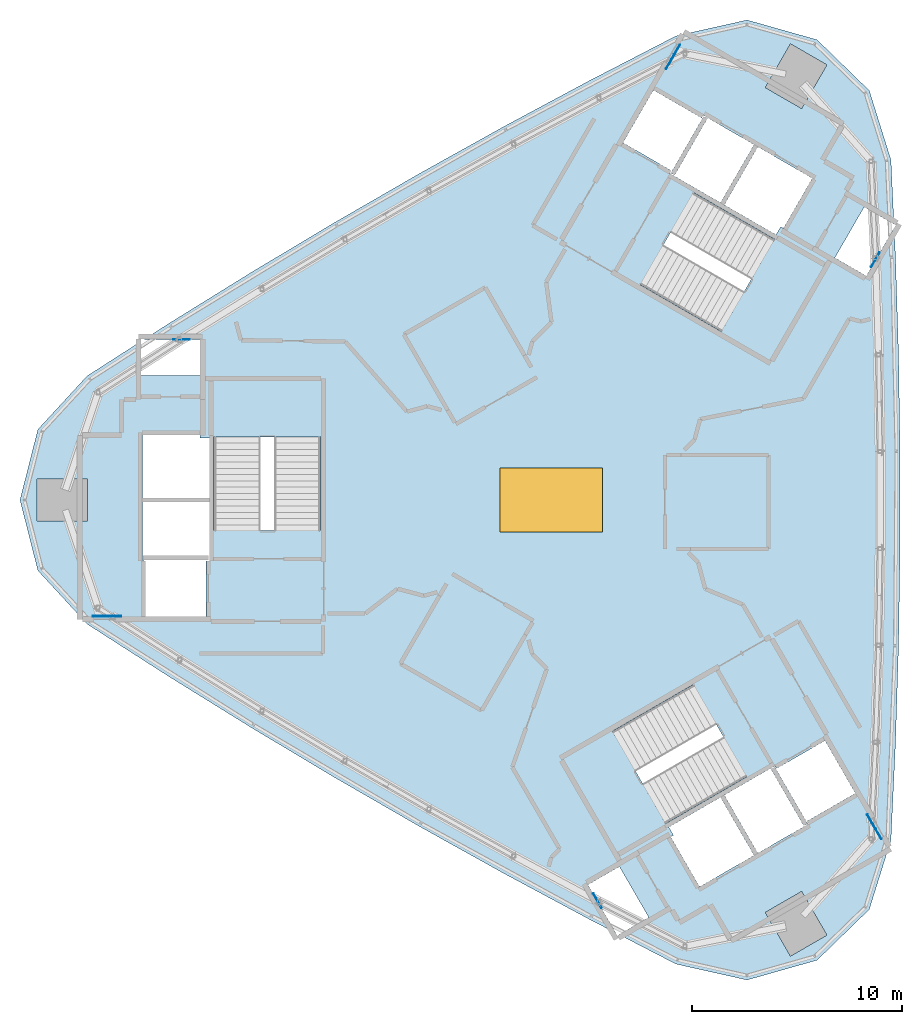
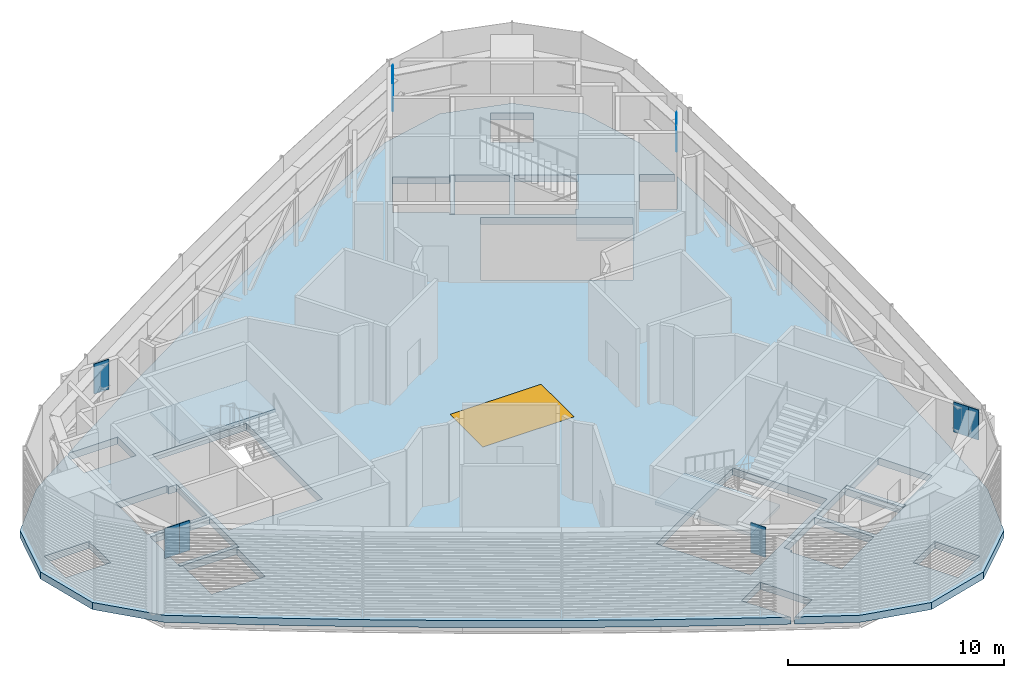
# One storey, part 9 of 21: 9 plates, 4 slabs, 1 window, 1 opening, 3 elements without a shape of their own.
"""IFC4 building model written with IfcOpenShell, lengths in metres."""

from ifc_helpers import new_model, si_unit, direction, frame, origin, origin_2d, place, context, subcontext, project, spatial, polyline, rectangle, outline, extrude, material, layer, layer_set, type_object, element, fill, aggregate, save


model = new_model("IFC4")

# Units and contexts
model_context = context("Model", 3, precision=1e-05, world=origin(), true_north=direction((0.0, 1.0)))
body_context = subcontext(model_context, "Body", "Model", "MODEL_VIEW")
ifc_project = project(units=[si_unit("LENGTHUNIT", "METRE"), si_unit("AREAUNIT", "SQUARE_METRE"), si_unit("VOLUMEUNIT", "CUBIC_METRE"), si_unit("PLANEANGLEUNIT", "RADIAN"), si_unit("MASSUNIT", "GRAM", prefix="KILO")], contexts=[model_context])

# Site, building, storey
site_placement = place(None, origin())
site = spatial("IfcSite", under=ifc_project, at=site_placement, CompositionType="ELEMENT")
building_placement = place(site_placement, origin())
building = spatial("IfcBuilding", under=site, at=building_placement, Name="Tamra Quay Hotel Tower", CompositionType="ELEMENT")
storey_placement = place(building_placement, frame((0.0, 0.0, 301.800048828125)))
storey = spatial("IfcBuildingStorey", under=building, at=storey_placement, Name="L76", CompositionType="ELEMENT", Elevation=301.800048828125)

# Plates
ifc_material_1 = material(Name="Structural steel IS 2062 E350", Category="steel")
ifc_layer_1 = layer(ifc_material_1, 0.0400390625)
ifc_layer_set_1 = layer_set([ifc_layer_1], Name="CAST IN PLATE 40")
plate_type = type_object("IfcPlateType", Name="CAST IN PLATE 40", PredefinedType="SHEET", material=ifc_layer_set_1)
for number, where, z_axis, x_axis, name in (
    (1, (-21.410400390625, -5.530029296875, 2.89990234375), (0.0, 0.0, 1.0), (0.0, 1.0, 0.0), "Cast-in plate EP-TC6-1"),
    (2, (-20.868896484375, -5.530029296875, 2.89990234375), (0.0, 0.0, 1.0), (0.0, 1.0, 0.0), "Cast-in plate EP-TC6-2"),
    (3, (-17.59423828125, 7.6298828125, 2.89990234375), (0.0, 0.0, 1.0), (0.0, -1.0, 0.0), "Cast-in plate EP-TC6-3"),
    (4, (2.189208984375, -19.052001953125, 2.89990234375), (0.0, 0.0, 1.0), (0.866025403784, 0.5, 0.0), "Cast-in plate EP-TC6-4"),
    (5, (5.645263671875, 20.837890625, 2.89990234375), (0.0, 0.0, 1.0), (0.866025403784, -0.5, 0.0), "Cast-in plate EP-TC6-5"),
    (6, (5.916015625, 21.306884765625, 2.89990234375), (0.0, 0.0, 1.0), (0.866025403784, -0.5, 0.0), "Cast-in plate EP-TC6-6"),
    (7, (15.2236328125, -15.30810546875, 2.89990234375), (0.0, 0.0, 1.0), (-0.866025403784, -0.5, 0.0), "Cast-in plate EP-TC6-7"),
    (8, (15.40478515625, 11.422119140625, 2.89990234375), (0.0, 0.0, 1.0), (-0.866025403784, 0.5, 0.0), "Cast-in plate EP-TC6-8"),
    (9, (15.494384765625, -15.77685546875, 2.89990234375), (0.0, 0.0, 1.0), (-0.866025403784, -0.5, 0.0), "Cast-in plate EP-TC6-9"),
):
    element("IfcPlate", number, at=place(storey_placement, frame(where, z_axis=z_axis, x_axis=x_axis)), inside=storey, type_object=plate_type, Name=name, PredefinedType="SHEET", context=body_context, shape_type="SweptSolid", body=[
        extrude(rectangle(XDim=0.0400390625, YDim=0.800048828125, at=origin_2d()), origin(), (0.0, 0.0, 1.0), 1.699951171875),
    ])

# Stair, slab
ifc_material_2 = material(Name="Exit stair 2200 32 risers 150.0 going 299")
stair_type = type_object("IfcStairType", Name="Exit stair 2200 32 risers 150.0 going 299", PredefinedType="HALF_TURN_STAIR", material=ifc_material_2)
stair_1_placement = place(storey_placement, origin())
stair_1 = element("IfcStair", 10, at=stair_1_placement, inside=storey, type_object=stair_type, Name="L76 Exit stair ST3", PredefinedType="HALF_TURN_STAIR")
ifc_material_3 = material(Name="Concrete M70", Category="concrete")
ifc_layer_2 = layer(ifc_material_3, 0.175048828125)
ifc_layer_set_2 = layer_set([ifc_layer_2], Name="Concrete M70 stair landing 180")
slab_type_1 = type_object("IfcSlabType", Name="Concrete M70 stair landing 180", PredefinedType="LANDING", material=ifc_layer_set_2)
slab_1_placement = place(storey_placement, frame((0.0, 0.0, 2.224853515625)))
slab_1 = element("IfcSlab", 11, at=slab_1_placement, type_object=slab_type_1, Name="ST3 landing 1", PredefinedType="LANDING", context=body_context, shape_type="SweptSolid", body=[
    extrude(outline(polyline([(-10.932373046875, 2.98486328125), (-10.932373046875, 5.679931640625), (-16.09130859375, 5.679931640625), (-16.09130859375, 2.98486328125), (-10.932373046875, 2.98486328125)])), origin(), (0.0, 0.0, 1.0), 0.175048828125),
])
aggregate(stair_1, [slab_1])

stair_2_placement = place(storey_placement, origin())
stair_2 = element("IfcStair", 12, at=stair_2_placement, inside=storey, type_object=stair_type, Name="L76 Exit stair ST1", PredefinedType="HALF_TURN_STAIR")
slab_2_placement = place(storey_placement, frame((0.0, 0.0, 2.224853515625)))
slab_2 = element("IfcSlab", 13, at=slab_2_placement, type_object=slab_type_1, Name="ST1 landing 1", PredefinedType="LANDING", context=body_context, shape_type="SweptSolid", body=[
    extrude(outline(polyline([(8.051025390625, 7.97509765625), (10.385009765625, 6.627685546875), (12.964599609375, 11.095458984375), (10.630615234375, 12.443115234375), (8.051025390625, 7.97509765625)])), origin(), (0.0, 0.0, 1.0), 0.175048828125),
])
aggregate(stair_2, [slab_2])

stair_3_placement = place(storey_placement, origin())
stair_3 = element("IfcStair", 14, at=stair_3_placement, inside=storey, type_object=stair_type, Name="L76 Exit stair ST2", PredefinedType="HALF_TURN_STAIR")
slab_3_placement = place(storey_placement, frame((0.0, 0.0, 2.224853515625)))
slab_3 = element("IfcSlab", 15, at=slab_3_placement, type_object=slab_type_1, Name="ST2 landing 1", PredefinedType="LANDING", context=body_context, shape_type="SweptSolid", body=[
    extrude(outline(polyline([(2.881103515625, -10.960205078125), (0.547119140625, -12.3076171875), (3.126708984375, -16.775390625), (5.460693359375, -15.427978515625), (2.881103515625, -10.960205078125)])), origin(), (0.0, 0.0, 1.0), 0.175048828125),
])
aggregate(stair_3, [slab_3])

# Slab, opening, window
ifc_material_4 = material(Name="Concrete M60", Category="concrete")
ifc_layer_3 = layer(ifc_material_4, 0.39990234375)
ifc_layer_set_3 = layer_set([ifc_layer_3], Name="FLOOR SLAB PT 400")
slab_type_2 = type_object("IfcSlabType", Name="FLOOR SLAB PT 400", PredefinedType="FLOOR", material=ifc_layer_set_3)
slab_4_placement = place(storey_placement, frame((0.0, 0.0, -0.400146484375)))
slab_4 = element("IfcSlab", 16, at=slab_4_placement, inside=storey, type_object=slab_type_2, Name="SLAB-L76", PredefinedType="FLOOR", context=body_context, shape_type="SweptSolid", body=[
    extrude(outline(polyline([(-18.18798828125, 8.398681640625), (-14.259765625, 10.83349609375), (-10.29345703125, 13.206787109375), (-6.29052734375, 15.517822265625), (-2.252197265625, 17.765869140625), (1.820556640625, 19.95068359375), (5.92724609375, 22.07177734375), (9.305419921875, 22.8291015625), (12.63671875, 21.887451171875), (15.117919921875, 19.473388671875), (16.151123046875, 16.169189453125), (16.294189453125, 13.11767578125), (14.876220703125, 13.936279296875), (13.481201171875, 11.52001953125), (14.9794921875, 10.655029296875), (16.302001953125, 12.946044921875), (16.367431640625, 11.552001953125), (16.511962890625, 6.9326171875), (16.583984375, 2.31103515625), (16.583984375, -2.31103515625), (16.511962890625, -6.9326171875), (16.367431640625, -11.552001953125), (16.151123046875, -16.169189453125), (15.117919921875, -19.473388671875), (12.63671875, -21.887451171875), (9.305419921875, -22.8291015625), (5.92724609375, -22.07177734375), (3.213134765625, -20.669921875), (4.631103515625, -19.851318359375), (3.236083984375, -17.43505859375), (1.73779296875, -18.300048828125), (3.060546875, -20.591064453125), (1.820556640625, -19.95068359375), (-2.252197265625, -17.765869140625), (-6.29052734375, -15.517822265625), (-10.29345703125, -13.206787109375), (-14.259765625, -10.83349609375), (-18.18798828125, -8.398681640625), (-22.078369140625, -5.902587890625), (-24.42333984375, -3.35595703125), (-25.2734375, 0.0), (-24.42333984375, 3.35595703125), (-22.078369140625, 5.902587890625), (-19.50732421875, 7.55224609375), (-19.50732421875, 5.9150390625), (-16.71728515625, 5.9150390625), (-16.71728515625, 7.64501953125), (-19.36279296875, 7.64501953125), (-18.18798828125, 8.398681640625)]), holes=[polyline([(0.622314453125, -12.32763671875), (3.146728515625, -16.7001953125), (9.2783203125, -13.160400390625), (6.75390625, -8.78759765625), (0.622314453125, -12.32763671875)]), polyline([(-19.4072265625, -2.89306640625), (-19.307373046875, -2.89306640625), (-19.307373046875, -5.544921875), (-16.417236328125, -5.544921875), (-16.417236328125, -2.89306640625), (-16.3173828125, -2.89306640625), (-16.3173828125, -2.85498046875), (-19.4072265625, -2.85498046875), (-19.4072265625, -2.89306640625)]), polyline([(-16.307373046875, -2.64501953125), (-16.307373046875, -2.89306640625), (-16.26708984375, -2.89306640625), (-16.26708984375, -0.10498046875), (-19.45751953125, -0.10498046875), (-19.45751953125, -2.89306640625), (-19.417236328125, -2.89306640625), (-19.417236328125, -2.64501953125), (-16.307373046875, -2.64501953125)]), polyline([(-24.473388671875, -1.0), (-22.073486328125, -1.0), (-22.073486328125, 1.0), (-24.473388671875, 1.0), (-24.473388671875, -1.0)]), polyline([(-16.707275390625, 3.09521484375), (-19.45751953125, 3.09521484375), (-19.45751953125, 0.10498046875), (-16.26708984375, 0.10498046875), (-16.26708984375, 2.945068359375), (-16.707275390625, 2.945068359375), (-16.707275390625, 3.09521484375)]), polyline([(-10.9873046875, 5.625), (-16.036376953125, 5.625), (-16.036376953125, -1.455078125), (-10.9873046875, -1.455078125), (-10.9873046875, 5.625)]), polyline([(7.231201171875, 18.234619140625), (7.1982421875, 18.253662109375), (7.148193359375, 18.1669921875), (4.8515625, 19.4931640625), (3.406494140625, 16.990234375), (5.703125, 15.664306640625), (5.6533203125, 15.57763671875), (5.68603515625, 15.55859375), (7.231201171875, 18.234619140625)]), polyline([(13.102783203125, -20.694580078125), (11.902587890625, -18.6162109375), (10.170654296875, -19.6162109375), (11.37060546875, -21.694580078125), (13.102783203125, -20.694580078125)]), polyline([(5.673095703125, -16.0166015625), (7.04833984375, -18.398193359375), (9.6376953125, -16.903076171875), (8.042724609375, -14.14013671875), (5.5830078125, -15.560302734375), (5.80322265625, -15.94140625), (5.673095703125, -16.0166015625)]), polyline([(10.4443359375, -12.800048828125), (10.6591796875, -12.676025390625), (10.63916015625, -12.64111328125), (8.224609375, -14.03515625), (9.819580078125, -16.798095703125), (12.234130859375, -15.404052734375), (12.214111328125, -15.369384765625), (11.999267578125, -15.493408203125), (10.4443359375, -12.800048828125)]), polyline([(12.208984375, -15.360595703125), (12.1591796875, -15.274169921875), (14.455810546875, -13.947998046875), (13.0107421875, -11.4453125), (10.714111328125, -12.771240234375), (10.6640625, -12.6845703125), (10.631103515625, -12.70361328125), (12.176025390625, -15.379638671875), (12.208984375, -15.360595703125)]), polyline([(10.364990234375, 6.702880859375), (12.889404296875, 11.075439453125), (6.758056640625, 14.615478515625), (4.2333984375, 10.242919921875), (10.364990234375, 6.702880859375)]), polyline([(11.0341796875, 12.92138671875), (12.4091796875, 15.302978515625), (9.819580078125, 16.798095703125), (8.224365234375, 14.035400390625), (10.68408203125, 12.615234375), (10.904052734375, 12.996337890625), (11.0341796875, 12.92138671875)]), polyline([(7.41796875, 18.138427734375), (5.863037109375, 15.445068359375), (5.648193359375, 15.569091796875), (5.628173828125, 15.5341796875), (8.04248046875, 14.140380859375), (9.6376953125, 16.903076171875), (7.22314453125, 18.297119140625), (7.203125, 18.262451171875), (7.41796875, 18.138427734375)]), polyline([(13.102783203125, 20.694580078125), (11.37060546875, 21.694580078125), (10.170654296875, 19.6162109375), (11.902587890625, 18.6162109375), (13.102783203125, 20.694580078125)])]), origin(), (0.0, 0.0, 1.0), 0.400146484375),
])
opening_placement = place(slab_4_placement, origin())
opening = element("IfcOpeningElement", 17, at=opening_placement, cuts=slab_4, Name="Opening SK1-4880", PredefinedType="OPENING", context=body_context, shape_type="SweptSolid", body=[
    extrude(rectangle(XDim=4.8798828125, YDim=3.0400390625, at=origin_2d()), origin(), (0.0, 0.0, 1.0), 0.400146484375),
])
ifc_material_5 = material(Name="Fire-rated laminated glass in steel frame", Category="steel")
window_type = type_object("IfcWindowType", Name="ATRIUM SKYLIGHT 4880X3040", PartitioningType="SINGLE_PANEL", PredefinedType="SKYLIGHT", material=ifc_material_5)
window_placement = place(opening_placement, frame((0.0, 0.0, 0.35009765625)))
window = element("IfcWindow", 18, at=window_placement, inside=storey, type_object=window_type, Name="SK1-4880", OverallHeight=3.0400390625, OverallWidth=4.8798828125, PartitioningType="SINGLE_PANEL", PredefinedType="SKYLIGHT", context=body_context, shape_type="SweptSolid", body=[
    extrude(rectangle(XDim=4.8798828125, YDim=3.0400390625, at=origin_2d()), origin(), (0.0, 0.0, 1.0), 0.050048828125),
])
fill(opening, window)

save(model, "model.ifc")
